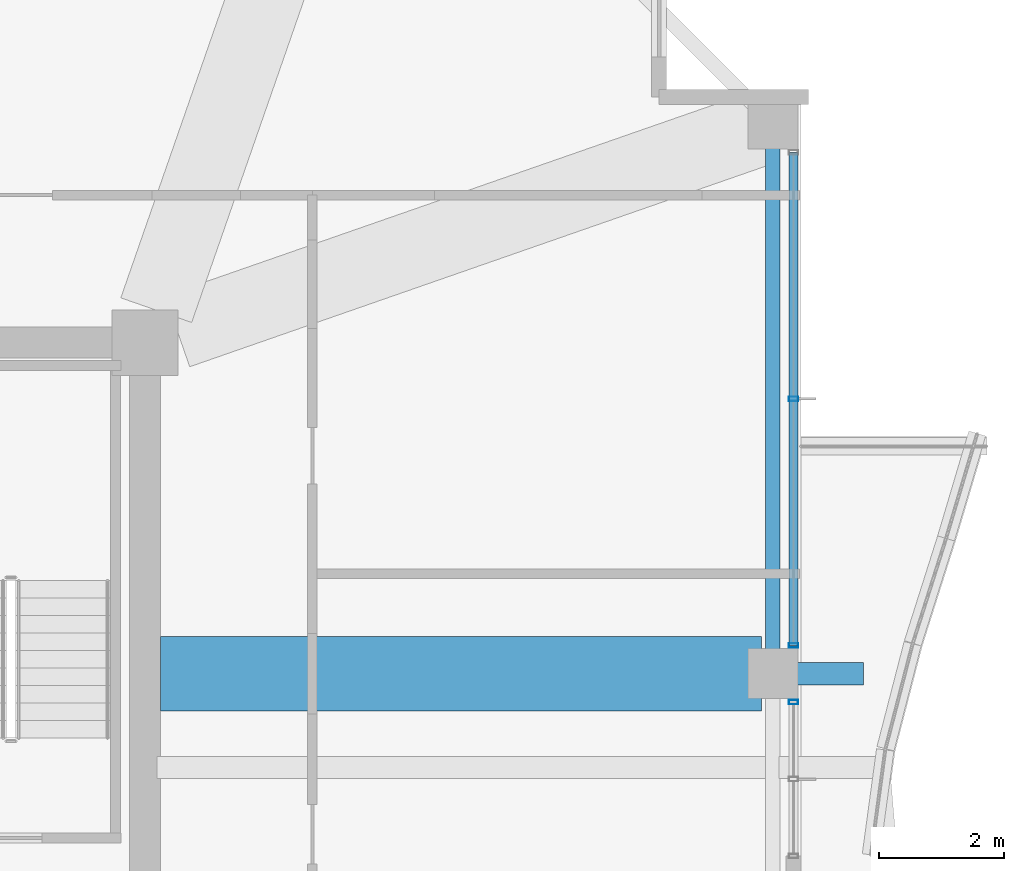
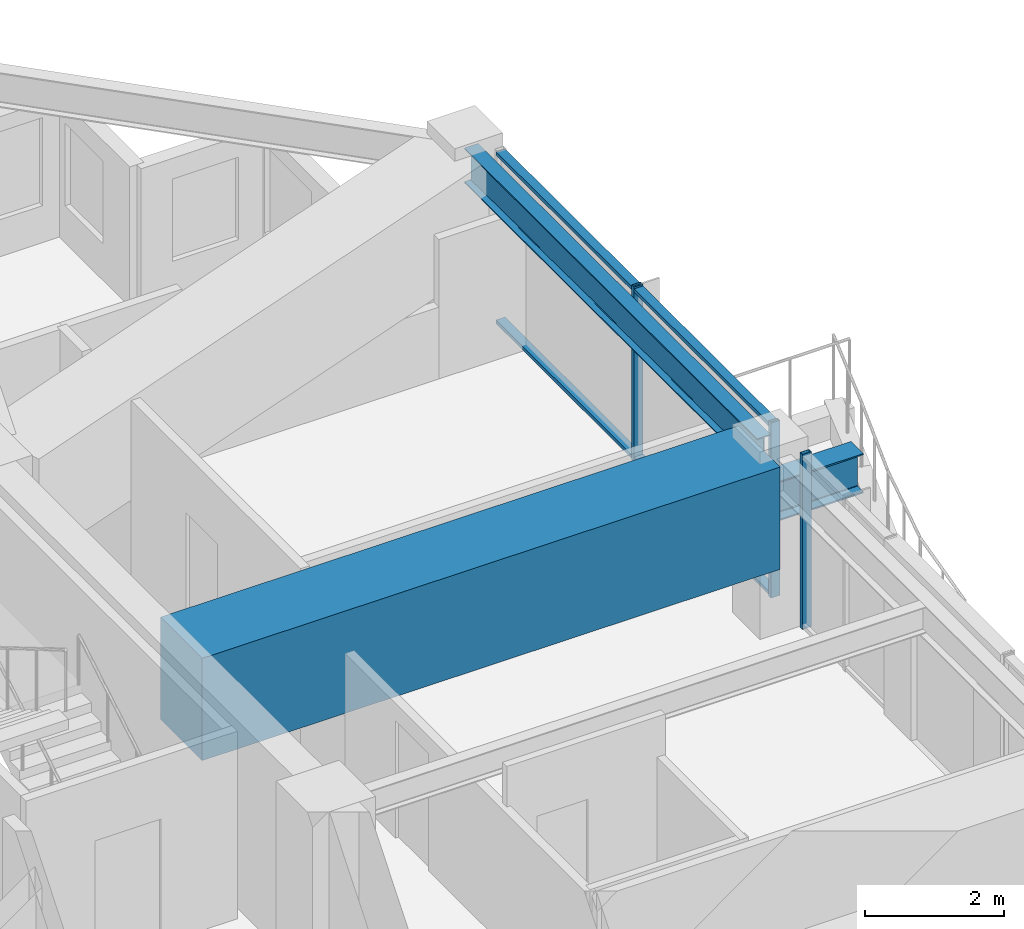
# One storey, part 16 of 35: 5 members, 3 beams, 2 elements without a shape of their own.
"""IFC4 building model written with IfcOpenShell, lengths in metres."""

import ifcopenshell
import ifcopenshell.guid

model = None  # the IFC model being written
_history = None  # IfcOwnerHistory: only IFC2X3 demands one
_inside = {}  # id of a spatial element -> (the spatial element, [elements in it])
_under = {}  # id of a project, library or spatial element -> (it, [spatial elements below it])
_declared = {}  # id of a project -> (the project, [libraries it declares])
_typed = {}  # id of a type object -> (the type object, [elements of that type])
_made_of = {}  # id of a material, layer set ... -> (it, [elements and type objects made of it])


def new_model(schema):
    """Start an empty IFC model of exactly this schema.

    Asked for "IFC4X3", IfcOpenShell would pick the latest addendum, in which some entities
    have other attributes; the version numbers below select the first issue.
    IFC2X3 requires an IfcOwnerHistory on every rooted entity: one is made here for all.
    """
    global model, _history
    if schema == "IFC4X3":
        model = ifcopenshell.file(schema_version=(4, 3, 0, 0))
    else:
        model = ifcopenshell.file(schema=schema)
    _inside.clear()
    _under.clear()
    _declared.clear()
    _typed.clear()
    _made_of.clear()
    _history = None
    if model.schema == "IFC2X3":
        org = make("IfcOrganization", Name="unknown")
        user = make(
            "IfcPersonAndOrganization",
            ThePerson=make("IfcPerson", FamilyName="unknown"),
            TheOrganization=org,
        )
        app = make(
            "IfcApplication",
            ApplicationDeveloper=org,
            Version="unknown",
            ApplicationFullName="unknown",
            ApplicationIdentifier="unknown",
        )
        _history = make(
            "IfcOwnerHistory",
            OwningUser=user,
            OwningApplication=app,
            ChangeAction="ADDED",
            CreationDate=0,
        )
    return model


def make(cls, **values):
    """One entity of the class cls with the attributes given. An attribute that is None is left unset."""
    return model.create_entity(
        cls, **{name: value for name, value in values.items() if value is not None}
    )


def rooted(cls, **values):
    """An entity with a GlobalId (a new one), such as an element, a storey or a relation."""
    return make(cls, GlobalId=ifcopenshell.guid.new(), OwnerHistory=_history, **values)


def si_unit(unit_type, name, prefix=None):
    """IfcSIUnit, for example si_unit("LENGTHUNIT", "METRE", prefix="MILLI")."""
    return make("IfcSIUnit", UnitType=unit_type, Prefix=prefix, Name=name)


def assignment(units):
    """IfcUnitAssignment: the units of a project."""
    return None if units is None else make("IfcUnitAssignment", Units=units)


def point(xyz):
    """IfcCartesianPoint."""
    return None if xyz is None else make("IfcCartesianPoint", Coordinates=xyz)


def direction(xyz):
    """IfcDirection."""
    return None if xyz is None else make("IfcDirection", DirectionRatios=xyz)


def frame(location, z_axis=None, x_axis=None):
    """IfcAxis2Placement3D, a coordinate frame: its origin and axes. An axis left out is left unset."""
    return make(
        "IfcAxis2Placement3D",
        Location=point(location),
        Axis=direction(z_axis),
        RefDirection=direction(x_axis),
    )


def frame_2d(location, x_axis=None):
    """IfcAxis2Placement2D, a coordinate frame in the plane: its origin and x axis."""
    return make(
        "IfcAxis2Placement2D", Location=point(location), RefDirection=direction(x_axis)
    )


def origin():
    """The frame at (0, 0, 0) with its axes left unset."""
    return frame((0.0, 0.0, 0.0))


def origin_2d():
    """The frame at (0, 0) in the plane with its x axis left unset."""
    return frame_2d((0.0, 0.0))


def place(relative_to, where):
    """IfcLocalPlacement: puts the frame where relative to a parent placement (None: the world)."""
    return make(
        "IfcLocalPlacement", PlacementRelTo=relative_to, RelativePlacement=where
    )


def context(
    kind, dimensions, precision=None, world=None, true_north=None, identifier=None
):
    """IfcGeometricRepresentationContext, for example the 3D "Model" context."""
    return make(
        "IfcGeometricRepresentationContext",
        ContextIdentifier=identifier,
        ContextType=kind,
        CoordinateSpaceDimension=dimensions,
        Precision=precision,
        WorldCoordinateSystem=world,
        TrueNorth=true_north,
    )


def subcontext(parent, identifier, kind, view, scale=None):
    """IfcGeometricRepresentationSubContext, for example "Body" below "Model"."""
    return make(
        "IfcGeometricRepresentationSubContext",
        ContextIdentifier=identifier,
        ContextType=kind,
        ParentContext=parent,
        TargetScale=scale,
        TargetView=view,
    )


def project(units=None, contexts=None):
    """IfcProject with its units and contexts."""
    return rooted(
        "IfcProject",
        Name="project",
        RepresentationContexts=contexts,
        UnitsInContext=assignment(units),
    )


def spatial(cls, under=None, at=None, **own):
    """A site, building, storey or space (cls), placed at a placement, below another one or the project."""
    s = rooted(cls, ObjectPlacement=at, **own)
    if under is not None:
        _under.setdefault(under.id(), (under, []))[1].append(s)
    return s


def profile(cls, at=None, kind="AREA", **sizes):
    """A parametric profile (cls). Its sizes go by their IFC names, for example OverallWidth=200.0."""
    return make(cls, ProfileType=kind, Position=at, **sizes)


def rectangle(**sizes):
    """IfcRectangleProfileDef."""
    return profile("IfcRectangleProfileDef", **sizes)


def hollow_rectangle(**sizes):
    """IfcRectangleHollowProfileDef."""
    return profile("IfcRectangleHollowProfileDef", **sizes)


def i_section(**sizes):
    """IfcIShapeProfileDef."""
    return profile("IfcIShapeProfileDef", **sizes)


def extrude(swept, where, along, depth):
    """IfcExtrudedAreaSolid: the profile swept, set in the frame where, extruded along a direction by depth."""
    return make(
        "IfcExtrudedAreaSolid",
        SweptArea=swept,
        Position=where,
        ExtrudedDirection=direction(along),
        Depth=depth,
    )


def shape(context_of_items, identifier, shape_type, items):
    """IfcShapeRepresentation: the items that make up one representation, for example the "Body"."""
    return make(
        "IfcShapeRepresentation",
        ContextOfItems=context_of_items,
        RepresentationIdentifier=identifier,
        RepresentationType=shape_type,
        Items=items,
    )


def material(Name=None, Category=None):
    """IfcMaterial."""
    return make("IfcMaterial", Name=Name, Category=Category)


def material_profile(
    of_material, cross_section, Name=None, Category=None, Priority=None
):
    """IfcMaterialProfile: a cross section and its material."""
    return make(
        "IfcMaterialProfile",
        Name=Name,
        Material=of_material,
        Profile=cross_section,
        Priority=Priority,
        Category=Category,
    )


def profile_set(profiles, Name=None, composite=None):
    """IfcMaterialProfileSet."""
    return make(
        "IfcMaterialProfileSet",
        Name=Name,
        MaterialProfiles=profiles,
        CompositeProfile=composite,
    )


def made_of(thing, what):
    """Note that an element or type object is made of a material, layer set ...; save() writes the relation."""
    if what is not None:
        _made_of.setdefault(what.id(), (what, []))[1].append(thing)
    return thing


def type_object(cls, material=None, **own):
    """A type object (cls), such as IfcWallType, which elements share."""
    return made_of(rooted(cls, **own), material)


def element(
    cls,
    number,
    at=None,
    inside=None,
    cuts=None,
    type_object=None,
    material=None,
    context=None,
    identifier="Body",
    shape_type=None,
    held_by="IfcProductDefinitionShape",
    body=None,
    shapes=None,
    **own,
):
    """One element of the class cls, such as IfcWall. Its Tag is "e" and its number.

    at: its placement. inside: the storey or other place that contains it. cuts: it is an
    opening in that element (IfcRelVoidsElement). A single representation is given by context,
    identifier, shape_type and body (its items); several are given by shapes. held_by: the class
    of the entity that holds the representations. save() writes the other relations.
    """
    e = rooted(cls, Tag="e%d" % number, ObjectPlacement=at, **own)
    if body is not None:
        shapes = [shape(context, identifier, shape_type, body)]
    if shapes is not None:
        e.Representation = make(held_by, Representations=shapes)
    if inside is not None:
        _inside.setdefault(inside.id(), (inside, []))[1].append(e)
    if cuts is not None:
        rooted(
            "IfcRelVoidsElement", RelatingBuildingElement=cuts, RelatedOpeningElement=e
        )
    if type_object is not None:
        _typed.setdefault(type_object.id(), (type_object, []))[1].append(e)
    return made_of(e, material)


def aggregate(whole, parts):
    """IfcRelAggregates: a whole, such as a stair, and the parts it consists of."""
    return rooted("IfcRelAggregates", RelatingObject=whole, RelatedObjects=parts)


def save(model, path):
    """Write the relations noted so far, then the file.

    IfcRelAggregates (storeys below a building ...), IfcRelContainedInSpatialStructure (elements
    in a storey), IfcRelDefinesByType, IfcRelAssociatesMaterial and IfcRelDeclares: one each for
    every whole, place, type object, material and project.
    """
    for whole, parts in _under.values():
        aggregate(whole, parts)
    for where, things in _inside.values():
        rooted(
            "IfcRelContainedInSpatialStructure",
            RelatedElements=things,
            RelatingStructure=where,
        )
    for kind, things in _typed.values():
        rooted("IfcRelDefinesByType", RelatedObjects=things, RelatingType=kind)
    for what, things in _made_of.values():
        rooted("IfcRelAssociatesMaterial", RelatedObjects=things, RelatingMaterial=what)
    for by, libraries in _declared.values():
        rooted("IfcRelDeclares", RelatingContext=by, RelatedDefinitions=libraries)
    model.write(path)


model = new_model("IFC4")

# Units and contexts
model_context = context("Model", 3, precision=1e-05, world=origin(), true_north=direction((0.0, 1.0)))
body_context = subcontext(model_context, "Body", "Model", "MODEL_VIEW")
ifc_project = project(units=[si_unit("LENGTHUNIT", "METRE"), si_unit("AREAUNIT", "SQUARE_METRE"), si_unit("VOLUMEUNIT", "CUBIC_METRE"), si_unit("PLANEANGLEUNIT", "RADIAN"), si_unit("MASSUNIT", "GRAM", prefix="KILO")], contexts=[model_context])

# Site, building, storey
site_placement = place(None, origin())
site = spatial("IfcSite", under=ifc_project, at=site_placement, CompositionType="ELEMENT")
building_placement = place(site_placement, origin())
building = spatial("IfcBuilding", under=site, at=building_placement, Name="Kolvaren Belvedere", CompositionType="ELEMENT")
storey_placement = place(building_placement, frame((0.0, 0.0, 203.10009765625)))
storey = spatial("IfcBuildingStorey", under=building, at=storey_placement, Name="L59", CompositionType="ELEMENT", Elevation=203.10009765625)

# Beams
ifc_material_1 = material(Name="Structural steel ASTM A992 Grade 50", Category="steel")
ifc_material_profile_1 = material_profile(ifc_material_1, i_section(OverallWidth=0.35498046875, OverallDepth=0.696044921875, WebThickness=0.015380859375, FlangeThickness=0.02490234375, FilletRadius=0.02197265625, at=origin_2d()), Name="W27X146")
ifc_profile_set_1 = profile_set([ifc_material_profile_1], Name="Structural steel ASTM A992 Grade 50")
beam_type_1 = type_object("IfcBeamType", Name="BM-CANT-BAL", PredefinedType="BEAM", material=ifc_profile_set_1)
beam_1_placement = place(storey_placement, frame((19.949951171875, 4.60009765625, 2.141845703125), z_axis=(1.0, 0.0, 0.0), x_axis=(0.0, 1.0, 0.0)))
element("IfcBeam", 1, at=beam_1_placement, inside=storey, type_object=beam_type_1, Name="L59 East Picture-Frame Column Corbel P", PredefinedType="BEAM", context=body_context, shape_type="SweptSolid", body=[
    extrude(i_section(OverallWidth=0.35498046875, OverallDepth=0.696044921875, WebThickness=0.015380859375, FlangeThickness=0.02490234375, FilletRadius=0.02197265625, at=origin_2d()), origin(), (0.0, 0.0, 1.0), 1.449951171875),
])
ifc_material_2 = material(Name="Structural steel ASTM A992 Grade 50", Category="steel")
ifc_material_profile_2 = material_profile(ifc_material_2, i_section(OverallWidth=0.22900390625, OverallDepth=0.612060546875, WebThickness=0.011962890625, FlangeThickness=0.01953125, FilletRadius=0.01806640625, at=origin_2d()), Name="W24X84")
ifc_profile_set_2 = profile_set([ifc_material_profile_2], Name="Structural steel ASTM A992 Grade 50")
beam_type_2 = type_object("IfcBeamType", Name="BM-SPAN-W24X84", PredefinedType="SPANDREL", material=ifc_profile_set_2)
beam_2_placement = place(storey_placement, frame((19.949951171875, 4.780029296875, 2.77392578125), z_axis=(0.0, 1.0, 0.0), x_axis=(-1.0, 0.0, 0.0)))
element("IfcBeam", 2, at=beam_2_placement, inside=storey, type_object=beam_type_2, Name="L59 Perimeter Spandrel E3-E4", PredefinedType="SPANDREL", context=body_context, shape_type="SweptSolid", body=[
    extrude(i_section(OverallWidth=0.22900390625, OverallDepth=0.612060546875, WebThickness=0.011962890625, FlangeThickness=0.01953125, FilletRadius=0.01806640625, at=origin_2d()), origin(), (0.0, 0.0, 1.0), 8.43994140625),
])
ifc_material_3 = material(Name="Concrete C50/60", Category="concrete")
ifc_material_profile_3 = material_profile(ifc_material_3, rectangle(XDim=1.199951171875, YDim=1.800048828125, at=origin_2d()), Name="RC 1200X1800")
ifc_profile_set_3 = profile_set([ifc_material_profile_3], Name="Concrete C50/60")
beam_type_3 = type_object("IfcBeamType", Name="BM-TG-1800", PredefinedType="BEAM", material=ifc_profile_set_3)
beam_3_placement = place(storey_placement, frame((10.14990234375, 4.60009765625, 2.179931640625), z_axis=(1.0, 0.0, 0.0), x_axis=(0.0, 1.0, 0.0)))
element("IfcBeam", 3, at=beam_3_placement, inside=storey, type_object=beam_type_3, Name="L59 East Radial Girder P", PredefinedType="BEAM", context=body_context, shape_type="SweptSolid", body=[
    extrude(rectangle(XDim=1.199951171875, YDim=1.800048828125, at=origin_2d()), origin(), (0.0, 0.0, 1.0), 9.6201171875),
])

# Curtain wall, members
ifc_material_4 = material(Name="Anodised pale-metal aluminium AA 6063-T6", Category="aluminium")
curtain_wall_type = type_object("IfcCurtainWallType", Name="CW-Z5-HIGH", PredefinedType="NOTDEFINED", material=ifc_material_4)
curtain_wall_1_placement = place(storey_placement, origin())
curtain_wall_1 = element("IfcCurtainWall", 4, at=curtain_wall_1_placement, inside=storey, type_object=curtain_wall_type, Name="L59 Unitised Curtain Wall FCW-L59-E1-B1", PredefinedType="NOTDEFINED")
ifc_material_5 = material(Name="Anodised pale-metal aluminium AA 6063-T6", Category="aluminium")
ifc_material_profile_4 = material_profile(ifc_material_5, hollow_rectangle(XDim=0.070068359375, YDim=0.14990234375, WallThickness=0.004150390625, at=origin_2d()), Name="ALU-MUL-150X70")
ifc_profile_set_4 = profile_set([ifc_material_profile_4], Name="Anodised pale-metal aluminium AA 6063-T6")
member_type_1 = type_object("IfcMemberType", Name="CW-MUL-150", PredefinedType="MULLION", material=ifc_profile_set_4)
member_1_placement = place(storey_placement, frame((20.280029296875, 9.0, 0.0), z_axis=(0.0, 0.0, 1.0), x_axis=(0.0, 1.0, 0.0)))
member_1 = element("IfcMember", 5, at=member_1_placement, type_object=member_type_1, Name="FCW-L59-E1-B1 Unitised Mullion 2", PredefinedType="MULLION", context=body_context, shape_type="SweptSolid", body=[
    extrude(hollow_rectangle(XDim=0.070068359375, YDim=0.14990234375, WallThickness=0.004150390625, at=origin_2d()), origin(), (0.0, 0.0, 1.0), 3.079833984375),
])
member_2_placement = place(storey_placement, frame((20.280029296875, 5.054931640625, 0.0), z_axis=(0.0, 0.0, 1.0), x_axis=(0.0, 1.0, 0.0)))
member_2 = element("IfcMember", 6, at=member_2_placement, type_object=member_type_1, Name="FCW-L59-E1-B1 Unitised Mullion 3", PredefinedType="MULLION", context=body_context, shape_type="SweptSolid", body=[
    extrude(hollow_rectangle(XDim=0.070068359375, YDim=0.14990234375, WallThickness=0.004150390625, at=origin_2d()), origin(), (0.0, 0.0, 1.0), 3.079833984375),
])

# Curtain wall, member
curtain_wall_2_placement = place(storey_placement, origin())
curtain_wall_2 = element("IfcCurtainWall", 7, at=curtain_wall_2_placement, inside=storey, type_object=curtain_wall_type, Name="L59 Unitised Curtain Wall FCW-L59-E1-B2", PredefinedType="NOTDEFINED")
member_3_placement = place(storey_placement, frame((20.280029296875, 4.14501953125, 0.0), z_axis=(0.0, 0.0, 1.0), x_axis=(0.0, 1.0, 0.0)))
member_3 = element("IfcMember", 8, at=member_3_placement, type_object=member_type_1, Name="FCW-L59-E1-B2 Unitised Mullion 1", PredefinedType="MULLION", context=body_context, shape_type="SweptSolid", body=[
    extrude(hollow_rectangle(XDim=0.070068359375, YDim=0.14990234375, WallThickness=0.004150390625, at=origin_2d()), origin(), (0.0, 0.0, 1.0), 3.079833984375),
])
aggregate(curtain_wall_2, [member_3])

# Member
ifc_material_6 = material(Name="Anodised pale-metal aluminium AA 6063-T6", Category="aluminium")
ifc_material_profile_5 = material_profile(ifc_material_6, hollow_rectangle(XDim=0.06494140625, YDim=0.14990234375, WallThickness=0.00390625, at=origin_2d()), Name="ALU-TRN-150X65")
ifc_profile_set_5 = profile_set([ifc_material_profile_5], Name="Anodised pale-metal aluminium AA 6063-T6")
member_type_2 = type_object("IfcMemberType", Name="CW-TRN-150", PredefinedType="USERDEFINED", material=ifc_profile_set_5)
member_4_placement = place(storey_placement, frame((20.280029296875, 12.945068359375, 0.059814453125), z_axis=(0.0, -1.0, 0.0), x_axis=(0.0, 0.0, 1.0)))
member_4 = element("IfcMember", 9, at=member_4_placement, type_object=member_type_2, Name="FCW-L59-E1-B1 Sill Transom", ObjectType="TRANSOM", PredefinedType="USERDEFINED", context=body_context, shape_type="SweptSolid", body=[
    extrude(hollow_rectangle(XDim=0.06494140625, YDim=0.14990234375, WallThickness=0.00390625, at=origin_2d()), origin(), (0.0, 0.0, 1.0), 7.89013671875),
])

member_5_placement = place(storey_placement, frame((20.280029296875, 12.945068359375, 3.02001953125), z_axis=(0.0, -1.0, 0.0), x_axis=(0.0, 0.0, 1.0)))
member_5 = element("IfcMember", 10, at=member_5_placement, type_object=member_type_2, Name="FCW-L59-E1-B1 Head Transom", ObjectType="TRANSOM", PredefinedType="USERDEFINED", context=body_context, shape_type="SweptSolid", body=[
    extrude(hollow_rectangle(XDim=0.06494140625, YDim=0.14990234375, WallThickness=0.00390625, at=origin_2d()), origin(), (0.0, 0.0, 1.0), 7.89013671875),
])

aggregate(curtain_wall_1, [member_1, member_2, member_4, member_5])

save(model, "model.ifc")
